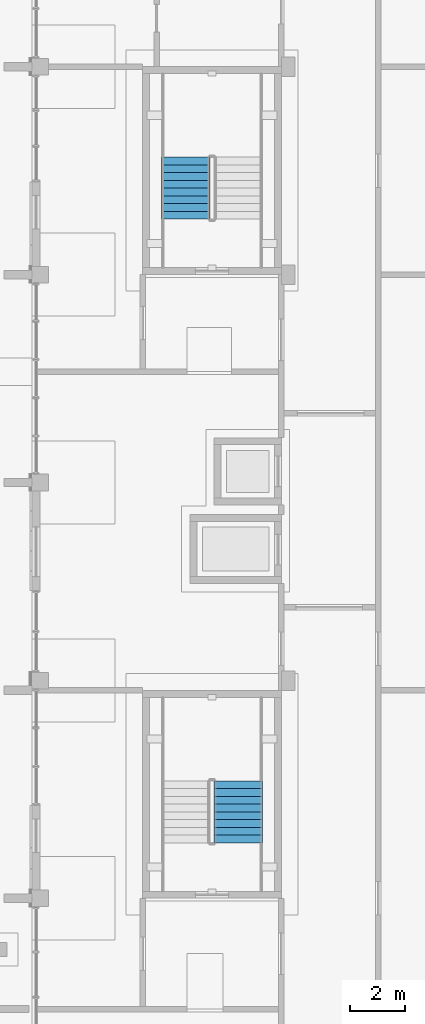
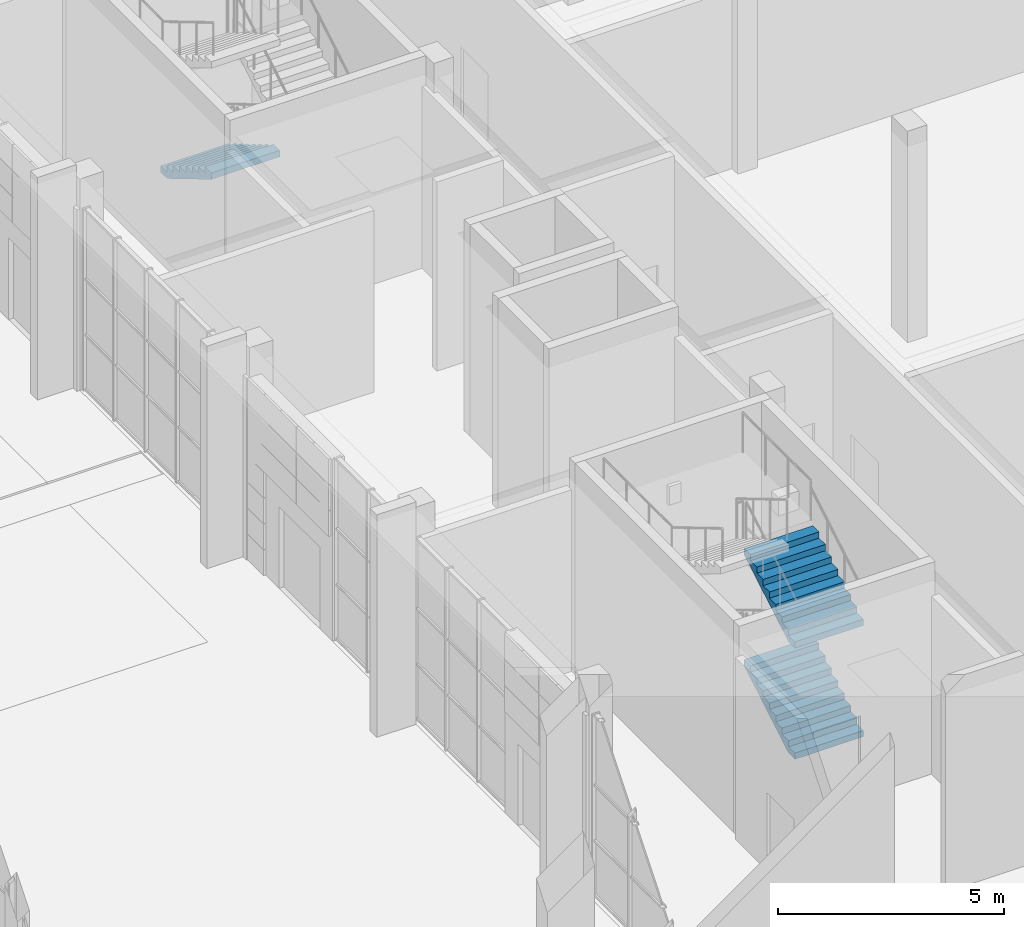
# One storey, part 64 of 125: 3 stair flights, 2 elements without a shape of their own.
"""IFC4 building model written with IfcOpenShell, lengths in metres."""

from ifc_helpers import new_model, si_unit, direction, frame, origin, place, context, subcontext, project, spatial, polyline, outline, extrude, material, type_object, element, aggregate, save


model = new_model("IFC4")

# Units and contexts
model_context = context("Model", 3, precision=1e-05, world=origin(), true_north=direction((0.0, 1.0)))
body_context = subcontext(model_context, "Body", "Model", "MODEL_VIEW")
ifc_project = project(units=[si_unit("LENGTHUNIT", "METRE"), si_unit("AREAUNIT", "SQUARE_METRE"), si_unit("VOLUMEUNIT", "CUBIC_METRE"), si_unit("PLANEANGLEUNIT", "RADIAN"), si_unit("MASSUNIT", "GRAM", prefix="KILO")], contexts=[model_context])

# Site, building, storey
site_placement = place(None, origin())
site = spatial("IfcSite", under=ifc_project, at=site_placement, CompositionType="ELEMENT")
building_placement = place(site_placement, origin())
building = spatial("IfcBuilding", under=site, at=building_placement, Name="Sun Court Science Centre", CompositionType="ELEMENT")
storey_placement = place(building_placement, origin())
storey = spatial("IfcBuildingStorey", under=building, at=storey_placement, Name="L00", CompositionType="ELEMENT", Elevation=0.0)

# Stair, stair flights
ifc_material_1 = material(Name="Concrete C25/30", Category="concrete")
stair_type = type_object("IfcStairType", Name="Stair 1500 enclosed half-turn", PredefinedType="HALF_TURN_STAIR", material=ifc_material_1)
stair_1_placement = place(storey_placement, origin())
stair_1 = element("IfcStair", 1, at=stair_1_placement, inside=storey, type_object=stair_type, Name="L00 Stair SL2", PredefinedType="HALF_TURN_STAIR")
ifc_material_2 = material(Name="Concrete C25/30", Category="concrete")
stair_flight_type = type_object("IfcStairFlightType", Name="Stair flight 1500 with waist", PredefinedType="STRAIGHT", material=ifc_material_2)
stair_flight_1_placement = place(storey_placement, frame((85.448974609375, 37.998046875, 0.0), z_axis=(0.0, 0.0, 1.0), x_axis=(0.0, 1.0, 0.0)))
stair_flight_1 = element("IfcStairFlight", 2, at=stair_flight_1_placement, type_object=stair_flight_type, Name="SL2 flight 1", NumberOfRisers=9, NumberOfTreads=8, PredefinedType="STRAIGHT", RiserHeight=0.166666667, TreadLength=0.28, context=body_context, shape_type="SweptSolid", body=[
    extrude(outline(polyline([(0.0, 0.0), (0.0, 0.00244140625), (0.0, 0.0048828125), (0.0, 0.00732421875), (0.0, 0.009765625), (0.0, 0.01220703125), (0.0, 0.0146484375), (0.0, 0.01708984375), (0.0, 0.01953125), (0.0, 0.02197265625), (0.0, 0.0244140625), (0.0, 0.02685546875), (0.0, 0.029296875), (0.0, 0.03173828125), (0.0, 0.0341796875), (0.0, 0.03662109375), (0.0, 0.0390625), (0.0, 0.04150390625), (0.0, 0.0439453125), (0.0, 0.04638671875), (0.0, 0.048828125), (0.0, 0.05126953125), (0.0, 0.0537109375), (0.0, 0.05615234375), (0.0, 0.05859375), (0.0, 0.06103515625), (0.0, 0.0634765625), (0.0, 0.06591796875), (0.0, 0.068359375), (0.0, 0.07080078125), (0.0, 0.0732421875), (0.0, 0.07568359375), (0.0, 0.078125), (0.0, 0.08056640625), (0.0, 0.0830078125), (0.0, 0.08544921875), (0.0, 0.087890625), (0.0, 0.09033203125), (0.0, 0.0927734375), (0.0, 0.09521484375), (0.0, 0.09765625), (0.0, 0.10009765625), (0.0, 0.1025390625), (0.0, 0.10498046875), (0.0, 0.107421875), (0.0, 0.10986328125), (0.0, 0.1123046875), (0.0, 0.11474609375), (0.0, 0.1171875), (0.0, 0.11962890625), (0.0, 0.1220703125), (0.0, 0.12451171875), (0.0, 0.126953125), (0.0, 0.12939453125), (0.0, 0.1318359375), (0.0, 0.13427734375), (0.0, 0.13671875), (0.0, 0.13916015625), (0.0, 0.1416015625), (0.0, 0.14404296875), (0.0, 0.146484375), (0.0, 0.14892578125), (0.0, 0.1513671875), (0.0, 0.15380859375), (0.0, 0.15625), (0.0, 0.15869140625), (0.0, 0.1611328125), (0.0, 0.16357421875), (0.0, 0.166748046875), (0.280029296875, 0.166748046875), (0.280029296875, 0.333251953125), (0.56005859375, 0.333251953125), (0.56005859375, 0.5), (0.840087890625, 0.5), (0.840087890625, 0.666748046875), (1.1201171875, 0.666748046875), (1.1201171875, 0.833251953125), (1.39990234375, 0.833251953125), (1.39990234375, 1.0), (1.679931640625, 1.0), (1.679931640625, 1.166748046875), (1.9599609375, 1.166748046875), (1.9599609375, 1.333251953125), (2.239990234375, 1.333251953125), (2.239990234375, 1.335693359375), (2.239990234375, 1.338134765625), (2.239990234375, 1.340576171875), (2.239990234375, 1.343017578125), (2.239990234375, 1.345458984375), (2.239990234375, 1.347900390625), (2.239990234375, 1.350341796875), (2.239990234375, 1.352783203125), (2.239990234375, 1.355224609375), (2.239990234375, 1.357666015625), (2.239990234375, 1.360107421875), (2.239990234375, 1.362548828125), (2.239990234375, 1.364990234375), (2.239990234375, 1.367431640625), (2.239990234375, 1.369873046875), (2.239990234375, 1.372314453125), (2.239990234375, 1.374755859375), (2.239990234375, 1.377197265625), (2.239990234375, 1.379638671875), (2.239990234375, 1.382080078125), (2.239990234375, 1.384521484375), (2.239990234375, 1.386962890625), (2.239990234375, 1.389404296875), (2.239990234375, 1.391845703125), (2.239990234375, 1.394287109375), (2.239990234375, 1.396728515625), (2.239990234375, 1.399169921875), (2.239990234375, 1.401611328125), (2.239990234375, 1.404052734375), (2.239990234375, 1.406494140625), (2.239990234375, 1.408935546875), (2.239990234375, 1.411376953125), (2.239990234375, 1.413818359375), (2.239990234375, 1.416259765625), (2.239990234375, 1.418701171875), (2.239990234375, 1.421142578125), (2.239990234375, 1.423583984375), (2.239990234375, 1.426025390625), (2.239990234375, 1.428466796875), (2.239990234375, 1.430908203125), (2.239990234375, 1.433349609375), (2.239990234375, 1.435791015625), (2.239990234375, 1.438232421875), (2.239990234375, 1.440673828125), (2.239990234375, 1.443115234375), (2.239990234375, 1.445556640625), (2.239990234375, 1.447998046875), (2.239990234375, 1.450439453125), (2.239990234375, 1.452880859375), (2.239990234375, 1.455322265625), (2.239990234375, 1.457763671875), (2.239990234375, 1.460205078125), (2.239990234375, 1.462646484375), (2.239990234375, 1.465087890625), (2.239990234375, 1.467529296875), (2.239990234375, 1.469970703125), (2.239990234375, 1.472412109375), (2.239990234375, 1.474853515625), (2.239990234375, 1.477294921875), (2.239990234375, 1.479736328125), (2.239990234375, 1.482177734375), (2.239990234375, 1.484619140625), (2.239990234375, 1.487060546875), (2.239990234375, 1.489501953125), (2.239990234375, 1.491943359375), (2.239990234375, 1.494384765625), (2.239990234375, 1.496826171875), (2.239990234375, 1.5), (2.239990234375, 1.49755859375), (2.239990234375, 1.4951171875), (2.239990234375, 1.49267578125), (2.239990234375, 1.490234375), (2.239990234375, 1.48779296875), (2.239990234375, 1.4853515625), (2.239990234375, 1.48291015625), (2.239990234375, 1.48046875), (2.239990234375, 1.47802734375), (2.239990234375, 1.4755859375), (2.239990234375, 1.47314453125), (2.239990234375, 1.470703125), (2.239990234375, 1.46826171875), (2.239990234375, 1.4658203125), (2.239990234375, 1.46337890625), (2.239990234375, 1.4609375), (2.239990234375, 1.45849609375), (2.239990234375, 1.4560546875), (2.239990234375, 1.45361328125), (2.239990234375, 1.451171875), (2.239990234375, 1.44873046875), (2.239990234375, 1.4462890625), (2.239990234375, 1.44384765625), (2.239990234375, 1.44140625), (2.239990234375, 1.43896484375), (2.239990234375, 1.4365234375), (2.239990234375, 1.43408203125), (2.239990234375, 1.431640625), (2.239990234375, 1.42919921875), (2.239990234375, 1.4267578125), (2.239990234375, 1.42431640625), (2.239990234375, 1.421875), (2.239990234375, 1.41943359375), (2.239990234375, 1.4169921875), (2.239990234375, 1.41455078125), (2.239990234375, 1.412109375), (2.239990234375, 1.40966796875), (2.239990234375, 1.4072265625), (2.239990234375, 1.40478515625), (2.239990234375, 1.40234375), (2.239990234375, 1.39990234375), (2.239990234375, 1.3974609375), (2.239990234375, 1.39501953125), (2.239990234375, 1.392578125), (2.239990234375, 1.39013671875), (2.239990234375, 1.3876953125), (2.239990234375, 1.38525390625), (2.239990234375, 1.3828125), (2.239990234375, 1.38037109375), (2.239990234375, 1.3779296875), (2.239990234375, 1.37548828125), (2.239990234375, 1.373046875), (2.239990234375, 1.37060546875), (2.239990234375, 1.3681640625), (2.239990234375, 1.36572265625), (2.239990234375, 1.36328125), (2.239990234375, 1.36083984375), (2.239990234375, 1.3583984375), (2.239990234375, 1.35595703125), (2.239990234375, 1.353515625), (2.239990234375, 1.35107421875), (2.239990234375, 1.3486328125), (2.239990234375, 1.34619140625), (2.239990234375, 1.34375), (2.239990234375, 1.34130859375), (2.239990234375, 1.3388671875), (2.239990234375, 1.33642578125), (2.239990234375, 1.333984375), (2.239990234375, 1.33154296875), (2.239990234375, 1.3291015625), (2.239990234375, 1.32666015625), (2.239990234375, 1.32421875), (2.239990234375, 1.32177734375), (2.239990234375, 1.3193359375), (2.239990234375, 1.31689453125), (2.239990234375, 1.314453125), (2.239990234375, 1.31201171875), (2.239990234375, 1.3095703125), (2.239990234375, 1.30712890625), (2.239990234375, 1.3046875), (2.239990234375, 1.30224609375), (2.239990234375, 1.2998046875), (2.239990234375, 1.29736328125), (2.239990234375, 1.294921875), (2.239990234375, 1.29248046875), (2.239990234375, 1.2900390625), (2.239990234375, 1.28759765625), (2.239990234375, 1.28515625), (2.239990234375, 1.28271484375), (2.239990234375, 1.2802734375), (2.239990234375, 1.27783203125), (2.239990234375, 1.275390625), (2.239990234375, 1.27294921875), (2.239990234375, 1.2705078125), (2.239990234375, 1.26806640625), (2.239990234375, 1.265625), (2.239990234375, 1.26318359375), (2.239990234375, 1.2607421875), (2.239990234375, 1.25830078125), (2.239990234375, 1.255859375), (2.239990234375, 1.25341796875), (2.239990234375, 1.2509765625), (2.239990234375, 1.24853515625), (2.239990234375, 1.24609375), (2.239990234375, 1.24365234375), (2.239990234375, 1.2412109375), (2.239990234375, 1.23876953125), (2.239990234375, 1.236328125), (2.239990234375, 1.23388671875), (2.239990234375, 1.2314453125), (2.239990234375, 1.22900390625), (2.239990234375, 1.2265625), (2.239990234375, 1.22412109375), (2.239990234375, 1.2216796875), (2.239990234375, 1.21923828125), (2.239990234375, 1.216796875), (2.239990234375, 1.21435546875), (2.239990234375, 1.2119140625), (2.239990234375, 1.20947265625), (2.239990234375, 1.20703125), (2.239990234375, 1.20458984375), (2.239990234375, 1.2021484375), (2.239990234375, 1.19970703125), (2.239990234375, 1.197265625), (2.239990234375, 1.19482421875), (2.239990234375, 1.1923828125), (2.239990234375, 1.18994140625), (2.239990234375, 1.1875), (2.239990234375, 1.18505859375), (2.239990234375, 1.1826171875), (2.239990234375, 1.18017578125), (2.239990234375, 1.177734375), (2.239990234375, 1.17529296875), (2.239990234375, 1.1728515625), (2.239990234375, 1.17041015625), (2.239990234375, 1.16796875), (2.239990234375, 1.16552734375), (2.239990234375, 1.1630859375), (2.239990234375, 1.158935546875), (0.29296875, 0.0), (0.0, 0.0)])), frame((0.0, 0.8740234375, 0.0), z_axis=(0.0, -1.0, 0.0), x_axis=(1.0, 0.0, 0.0)), (0.0, 0.0, 1.0), 1.748046875),
])
stair_flight_2_placement = place(storey_placement, frame((85.448974609375, 37.998046875, 3.0), z_axis=(0.0, 0.0, 1.0), x_axis=(0.0, 1.0, 0.0)))
stair_flight_2 = element("IfcStairFlight", 3, at=stair_flight_2_placement, type_object=stair_flight_type, Name="SL2 flight 3", NumberOfRisers=9, NumberOfTreads=8, PredefinedType="STRAIGHT", RiserHeight=0.166666667, TreadLength=0.28, context=body_context, shape_type="SweptSolid", body=[
    extrude(outline(polyline([(0.0, 0.0), (0.0, 0.00244140625), (0.0, 0.0048828125), (0.0, 0.00732421875), (0.0, 0.009765625), (0.0, 0.01220703125), (0.0, 0.0146484375), (0.0, 0.01708984375), (0.0, 0.01953125), (0.0, 0.02197265625), (0.0, 0.0244140625), (0.0, 0.02685546875), (0.0, 0.029296875), (0.0, 0.03173828125), (0.0, 0.0341796875), (0.0, 0.03662109375), (0.0, 0.0390625), (0.0, 0.04150390625), (0.0, 0.0439453125), (0.0, 0.04638671875), (0.0, 0.048828125), (0.0, 0.05126953125), (0.0, 0.0537109375), (0.0, 0.05615234375), (0.0, 0.05859375), (0.0, 0.06103515625), (0.0, 0.0634765625), (0.0, 0.06591796875), (0.0, 0.068359375), (0.0, 0.07080078125), (0.0, 0.0732421875), (0.0, 0.07568359375), (0.0, 0.078125), (0.0, 0.08056640625), (0.0, 0.0830078125), (0.0, 0.08544921875), (0.0, 0.087890625), (0.0, 0.09033203125), (0.0, 0.0927734375), (0.0, 0.09521484375), (0.0, 0.09765625), (0.0, 0.10009765625), (0.0, 0.1025390625), (0.0, 0.10498046875), (0.0, 0.107421875), (0.0, 0.10986328125), (0.0, 0.1123046875), (0.0, 0.11474609375), (0.0, 0.1171875), (0.0, 0.11962890625), (0.0, 0.1220703125), (0.0, 0.12451171875), (0.0, 0.126953125), (0.0, 0.12939453125), (0.0, 0.1318359375), (0.0, 0.13427734375), (0.0, 0.13671875), (0.0, 0.13916015625), (0.0, 0.1416015625), (0.0, 0.14404296875), (0.0, 0.146484375), (0.0, 0.14892578125), (0.0, 0.1513671875), (0.0, 0.15380859375), (0.0, 0.15625), (0.0, 0.15869140625), (0.0, 0.1611328125), (0.0, 0.16357421875), (0.0, 0.166748046875), (0.280029296875, 0.166748046875), (0.280029296875, 0.333251953125), (0.56005859375, 0.333251953125), (0.56005859375, 0.5), (0.840087890625, 0.5), (0.840087890625, 0.666748046875), (1.1201171875, 0.666748046875), (1.1201171875, 0.833251953125), (1.39990234375, 0.833251953125), (1.39990234375, 1.0), (1.679931640625, 1.0), (1.679931640625, 1.166748046875), (1.9599609375, 1.166748046875), (1.9599609375, 1.333251953125), (2.239990234375, 1.333251953125), (2.239990234375, 1.335693359375), (2.239990234375, 1.338134765625), (2.239990234375, 1.340576171875), (2.239990234375, 1.343017578125), (2.239990234375, 1.345458984375), (2.239990234375, 1.347900390625), (2.239990234375, 1.350341796875), (2.239990234375, 1.352783203125), (2.239990234375, 1.355224609375), (2.239990234375, 1.357666015625), (2.239990234375, 1.360107421875), (2.239990234375, 1.362548828125), (2.239990234375, 1.364990234375), (2.239990234375, 1.367431640625), (2.239990234375, 1.369873046875), (2.239990234375, 1.372314453125), (2.239990234375, 1.374755859375), (2.239990234375, 1.377197265625), (2.239990234375, 1.379638671875), (2.239990234375, 1.382080078125), (2.239990234375, 1.384521484375), (2.239990234375, 1.386962890625), (2.239990234375, 1.389404296875), (2.239990234375, 1.391845703125), (2.239990234375, 1.394287109375), (2.239990234375, 1.396728515625), (2.239990234375, 1.399169921875), (2.239990234375, 1.401611328125), (2.239990234375, 1.404052734375), (2.239990234375, 1.406494140625), (2.239990234375, 1.408935546875), (2.239990234375, 1.411376953125), (2.239990234375, 1.413818359375), (2.239990234375, 1.416259765625), (2.239990234375, 1.418701171875), (2.239990234375, 1.421142578125), (2.239990234375, 1.423583984375), (2.239990234375, 1.426025390625), (2.239990234375, 1.428466796875), (2.239990234375, 1.430908203125), (2.239990234375, 1.433349609375), (2.239990234375, 1.435791015625), (2.239990234375, 1.438232421875), (2.239990234375, 1.440673828125), (2.239990234375, 1.443115234375), (2.239990234375, 1.445556640625), (2.239990234375, 1.447998046875), (2.239990234375, 1.450439453125), (2.239990234375, 1.452880859375), (2.239990234375, 1.455322265625), (2.239990234375, 1.457763671875), (2.239990234375, 1.460205078125), (2.239990234375, 1.462646484375), (2.239990234375, 1.465087890625), (2.239990234375, 1.467529296875), (2.239990234375, 1.469970703125), (2.239990234375, 1.472412109375), (2.239990234375, 1.474853515625), (2.239990234375, 1.477294921875), (2.239990234375, 1.479736328125), (2.239990234375, 1.482177734375), (2.239990234375, 1.484619140625), (2.239990234375, 1.487060546875), (2.239990234375, 1.489501953125), (2.239990234375, 1.491943359375), (2.239990234375, 1.494384765625), (2.239990234375, 1.496826171875), (2.239990234375, 1.5), (2.239990234375, 1.49755859375), (2.239990234375, 1.4951171875), (2.239990234375, 1.49267578125), (2.239990234375, 1.490234375), (2.239990234375, 1.48779296875), (2.239990234375, 1.4853515625), (2.239990234375, 1.48291015625), (2.239990234375, 1.48046875), (2.239990234375, 1.47802734375), (2.239990234375, 1.4755859375), (2.239990234375, 1.47314453125), (2.239990234375, 1.470703125), (2.239990234375, 1.46826171875), (2.239990234375, 1.4658203125), (2.239990234375, 1.46337890625), (2.239990234375, 1.4609375), (2.239990234375, 1.45849609375), (2.239990234375, 1.4560546875), (2.239990234375, 1.45361328125), (2.239990234375, 1.451171875), (2.239990234375, 1.44873046875), (2.239990234375, 1.4462890625), (2.239990234375, 1.44384765625), (2.239990234375, 1.44140625), (2.239990234375, 1.43896484375), (2.239990234375, 1.4365234375), (2.239990234375, 1.43408203125), (2.239990234375, 1.431640625), (2.239990234375, 1.42919921875), (2.239990234375, 1.4267578125), (2.239990234375, 1.42431640625), (2.239990234375, 1.421875), (2.239990234375, 1.41943359375), (2.239990234375, 1.4169921875), (2.239990234375, 1.41455078125), (2.239990234375, 1.412109375), (2.239990234375, 1.40966796875), (2.239990234375, 1.4072265625), (2.239990234375, 1.40478515625), (2.239990234375, 1.40234375), (2.239990234375, 1.39990234375), (2.239990234375, 1.3974609375), (2.239990234375, 1.39501953125), (2.239990234375, 1.392578125), (2.239990234375, 1.39013671875), (2.239990234375, 1.3876953125), (2.239990234375, 1.38525390625), (2.239990234375, 1.3828125), (2.239990234375, 1.38037109375), (2.239990234375, 1.3779296875), (2.239990234375, 1.37548828125), (2.239990234375, 1.373046875), (2.239990234375, 1.37060546875), (2.239990234375, 1.3681640625), (2.239990234375, 1.36572265625), (2.239990234375, 1.36328125), (2.239990234375, 1.36083984375), (2.239990234375, 1.3583984375), (2.239990234375, 1.35595703125), (2.239990234375, 1.353515625), (2.239990234375, 1.35107421875), (2.239990234375, 1.3486328125), (2.239990234375, 1.34619140625), (2.239990234375, 1.34375), (2.239990234375, 1.34130859375), (2.239990234375, 1.3388671875), (2.239990234375, 1.33642578125), (2.239990234375, 1.333984375), (2.239990234375, 1.33154296875), (2.239990234375, 1.3291015625), (2.239990234375, 1.32666015625), (2.239990234375, 1.32421875), (2.239990234375, 1.32177734375), (2.239990234375, 1.3193359375), (2.239990234375, 1.31689453125), (2.239990234375, 1.314453125), (2.239990234375, 1.31201171875), (2.239990234375, 1.3095703125), (2.239990234375, 1.30712890625), (2.239990234375, 1.3046875), (2.239990234375, 1.30224609375), (2.239990234375, 1.2998046875), (2.239990234375, 1.29736328125), (2.239990234375, 1.294921875), (2.239990234375, 1.29248046875), (2.239990234375, 1.2900390625), (2.239990234375, 1.28759765625), (2.239990234375, 1.28515625), (2.239990234375, 1.28271484375), (2.239990234375, 1.2802734375), (2.239990234375, 1.27783203125), (2.239990234375, 1.275390625), (2.239990234375, 1.27294921875), (2.239990234375, 1.2705078125), (2.239990234375, 1.26806640625), (2.239990234375, 1.265625), (2.239990234375, 1.26318359375), (2.239990234375, 1.2607421875), (2.239990234375, 1.25830078125), (2.239990234375, 1.255859375), (2.239990234375, 1.25341796875), (2.239990234375, 1.2509765625), (2.239990234375, 1.24853515625), (2.239990234375, 1.24609375), (2.239990234375, 1.24365234375), (2.239990234375, 1.2412109375), (2.239990234375, 1.23876953125), (2.239990234375, 1.236328125), (2.239990234375, 1.23388671875), (2.239990234375, 1.2314453125), (2.239990234375, 1.22900390625), (2.239990234375, 1.2265625), (2.239990234375, 1.22412109375), (2.239990234375, 1.2216796875), (2.239990234375, 1.21923828125), (2.239990234375, 1.216796875), (2.239990234375, 1.21435546875), (2.239990234375, 1.2119140625), (2.239990234375, 1.20947265625), (2.239990234375, 1.20703125), (2.239990234375, 1.20458984375), (2.239990234375, 1.2021484375), (2.239990234375, 1.19970703125), (2.239990234375, 1.197265625), (2.239990234375, 1.19482421875), (2.239990234375, 1.1923828125), (2.239990234375, 1.18994140625), (2.239990234375, 1.1875), (2.239990234375, 1.18505859375), (2.239990234375, 1.1826171875), (2.239990234375, 1.18017578125), (2.239990234375, 1.177734375), (2.239990234375, 1.17529296875), (2.239990234375, 1.1728515625), (2.239990234375, 1.17041015625), (2.239990234375, 1.16796875), (2.239990234375, 1.16552734375), (2.239990234375, 1.1630859375), (2.239990234375, 1.158935546875), (0.29296875, 0.0), (0.0, 0.0)])), frame((0.0, 0.8740234375, 0.0), z_axis=(0.0, -1.0, 0.0), x_axis=(1.0, 0.0, 0.0)), (0.0, 0.0, 1.0), 1.748046875),
])
aggregate(stair_1, [stair_flight_1, stair_flight_2])

# Stair, stair flight
stair_2_placement = place(storey_placement, origin())
stair_2 = element("IfcStair", 4, at=stair_2_placement, inside=storey, type_object=stair_type, Name="L00 Stair SL3", PredefinedType="HALF_TURN_STAIR")
stair_flight_3_placement = place(storey_placement, frame((83.551025390625, 62.738037109375, 1.5), z_axis=(0.0, 0.0, 1.0), x_axis=(0.0, -1.0, 0.0)))
stair_flight_3 = element("IfcStairFlight", 5, at=stair_flight_3_placement, type_object=stair_flight_type, Name="SL3 flight 2", NumberOfRisers=9, NumberOfTreads=8, PredefinedType="STRAIGHT", RiserHeight=0.166666667, TreadLength=0.28, context=body_context, shape_type="SweptSolid", body=[
    extrude(outline(polyline([(0.0, 0.0), (0.0, 0.00244140625), (0.0, 0.0048828125), (0.0, 0.00732421875), (0.0, 0.009765625), (0.0, 0.01220703125), (0.0, 0.0146484375), (0.0, 0.01708984375), (0.0, 0.01953125), (0.0, 0.02197265625), (0.0, 0.0244140625), (0.0, 0.02685546875), (0.0, 0.029296875), (0.0, 0.03173828125), (0.0, 0.0341796875), (0.0, 0.03662109375), (0.0, 0.0390625), (0.0, 0.04150390625), (0.0, 0.0439453125), (0.0, 0.04638671875), (0.0, 0.048828125), (0.0, 0.05126953125), (0.0, 0.0537109375), (0.0, 0.05615234375), (0.0, 0.05859375), (0.0, 0.06103515625), (0.0, 0.0634765625), (0.0, 0.06591796875), (0.0, 0.068359375), (0.0, 0.07080078125), (0.0, 0.0732421875), (0.0, 0.07568359375), (0.0, 0.078125), (0.0, 0.08056640625), (0.0, 0.0830078125), (0.0, 0.08544921875), (0.0, 0.087890625), (0.0, 0.09033203125), (0.0, 0.0927734375), (0.0, 0.09521484375), (0.0, 0.09765625), (0.0, 0.10009765625), (0.0, 0.1025390625), (0.0, 0.10498046875), (0.0, 0.107421875), (0.0, 0.10986328125), (0.0, 0.1123046875), (0.0, 0.11474609375), (0.0, 0.1171875), (0.0, 0.11962890625), (0.0, 0.1220703125), (0.0, 0.12451171875), (0.0, 0.126953125), (0.0, 0.12939453125), (0.0, 0.1318359375), (0.0, 0.13427734375), (0.0, 0.13671875), (0.0, 0.13916015625), (0.0, 0.1416015625), (0.0, 0.14404296875), (0.0, 0.146484375), (0.0, 0.14892578125), (0.0, 0.1513671875), (0.0, 0.15380859375), (0.0, 0.15625), (0.0, 0.15869140625), (0.0, 0.1611328125), (0.0, 0.16357421875), (0.0, 0.166748046875), (0.280029296875, 0.166748046875), (0.280029296875, 0.333251953125), (0.56005859375, 0.333251953125), (0.56005859375, 0.5), (0.840087890625, 0.5), (0.840087890625, 0.666748046875), (1.1201171875, 0.666748046875), (1.1201171875, 0.833251953125), (1.39990234375, 0.833251953125), (1.39990234375, 1.0), (1.679931640625, 1.0), (1.679931640625, 1.166748046875), (1.9599609375, 1.166748046875), (1.9599609375, 1.333251953125), (2.239990234375, 1.333251953125), (2.239990234375, 1.335693359375), (2.239990234375, 1.338134765625), (2.239990234375, 1.340576171875), (2.239990234375, 1.343017578125), (2.239990234375, 1.345458984375), (2.239990234375, 1.347900390625), (2.239990234375, 1.350341796875), (2.239990234375, 1.352783203125), (2.239990234375, 1.355224609375), (2.239990234375, 1.357666015625), (2.239990234375, 1.360107421875), (2.239990234375, 1.362548828125), (2.239990234375, 1.364990234375), (2.239990234375, 1.367431640625), (2.239990234375, 1.369873046875), (2.239990234375, 1.372314453125), (2.239990234375, 1.374755859375), (2.239990234375, 1.377197265625), (2.239990234375, 1.379638671875), (2.239990234375, 1.382080078125), (2.239990234375, 1.384521484375), (2.239990234375, 1.386962890625), (2.239990234375, 1.389404296875), (2.239990234375, 1.391845703125), (2.239990234375, 1.394287109375), (2.239990234375, 1.396728515625), (2.239990234375, 1.399169921875), (2.239990234375, 1.401611328125), (2.239990234375, 1.404052734375), (2.239990234375, 1.406494140625), (2.239990234375, 1.408935546875), (2.239990234375, 1.411376953125), (2.239990234375, 1.413818359375), (2.239990234375, 1.416259765625), (2.239990234375, 1.418701171875), (2.239990234375, 1.421142578125), (2.239990234375, 1.423583984375), (2.239990234375, 1.426025390625), (2.239990234375, 1.428466796875), (2.239990234375, 1.430908203125), (2.239990234375, 1.433349609375), (2.239990234375, 1.435791015625), (2.239990234375, 1.438232421875), (2.239990234375, 1.440673828125), (2.239990234375, 1.443115234375), (2.239990234375, 1.445556640625), (2.239990234375, 1.447998046875), (2.239990234375, 1.450439453125), (2.239990234375, 1.452880859375), (2.239990234375, 1.455322265625), (2.239990234375, 1.457763671875), (2.239990234375, 1.460205078125), (2.239990234375, 1.462646484375), (2.239990234375, 1.465087890625), (2.239990234375, 1.467529296875), (2.239990234375, 1.469970703125), (2.239990234375, 1.472412109375), (2.239990234375, 1.474853515625), (2.239990234375, 1.477294921875), (2.239990234375, 1.479736328125), (2.239990234375, 1.482177734375), (2.239990234375, 1.484619140625), (2.239990234375, 1.487060546875), (2.239990234375, 1.489501953125), (2.239990234375, 1.491943359375), (2.239990234375, 1.494384765625), (2.239990234375, 1.496826171875), (2.239990234375, 1.5), (2.239990234375, 1.49755859375), (2.239990234375, 1.4951171875), (2.239990234375, 1.49267578125), (2.239990234375, 1.490234375), (2.239990234375, 1.48779296875), (2.239990234375, 1.4853515625), (2.239990234375, 1.48291015625), (2.239990234375, 1.48046875), (2.239990234375, 1.47802734375), (2.239990234375, 1.4755859375), (2.239990234375, 1.47314453125), (2.239990234375, 1.470703125), (2.239990234375, 1.46826171875), (2.239990234375, 1.4658203125), (2.239990234375, 1.46337890625), (2.239990234375, 1.4609375), (2.239990234375, 1.45849609375), (2.239990234375, 1.4560546875), (2.239990234375, 1.45361328125), (2.239990234375, 1.451171875), (2.239990234375, 1.44873046875), (2.239990234375, 1.4462890625), (2.239990234375, 1.44384765625), (2.239990234375, 1.44140625), (2.239990234375, 1.43896484375), (2.239990234375, 1.4365234375), (2.239990234375, 1.43408203125), (2.239990234375, 1.431640625), (2.239990234375, 1.42919921875), (2.239990234375, 1.4267578125), (2.239990234375, 1.42431640625), (2.239990234375, 1.421875), (2.239990234375, 1.41943359375), (2.239990234375, 1.4169921875), (2.239990234375, 1.41455078125), (2.239990234375, 1.412109375), (2.239990234375, 1.40966796875), (2.239990234375, 1.4072265625), (2.239990234375, 1.40478515625), (2.239990234375, 1.40234375), (2.239990234375, 1.39990234375), (2.239990234375, 1.3974609375), (2.239990234375, 1.39501953125), (2.239990234375, 1.392578125), (2.239990234375, 1.39013671875), (2.239990234375, 1.3876953125), (2.239990234375, 1.38525390625), (2.239990234375, 1.3828125), (2.239990234375, 1.38037109375), (2.239990234375, 1.3779296875), (2.239990234375, 1.37548828125), (2.239990234375, 1.373046875), (2.239990234375, 1.37060546875), (2.239990234375, 1.3681640625), (2.239990234375, 1.36572265625), (2.239990234375, 1.36328125), (2.239990234375, 1.36083984375), (2.239990234375, 1.3583984375), (2.239990234375, 1.35595703125), (2.239990234375, 1.353515625), (2.239990234375, 1.35107421875), (2.239990234375, 1.3486328125), (2.239990234375, 1.34619140625), (2.239990234375, 1.34375), (2.239990234375, 1.34130859375), (2.239990234375, 1.3388671875), (2.239990234375, 1.33642578125), (2.239990234375, 1.333984375), (2.239990234375, 1.33154296875), (2.239990234375, 1.3291015625), (2.239990234375, 1.32666015625), (2.239990234375, 1.32421875), (2.239990234375, 1.32177734375), (2.239990234375, 1.3193359375), (2.239990234375, 1.31689453125), (2.239990234375, 1.314453125), (2.239990234375, 1.31201171875), (2.239990234375, 1.3095703125), (2.239990234375, 1.30712890625), (2.239990234375, 1.3046875), (2.239990234375, 1.30224609375), (2.239990234375, 1.2998046875), (2.239990234375, 1.29736328125), (2.239990234375, 1.294921875), (2.239990234375, 1.29248046875), (2.239990234375, 1.2900390625), (2.239990234375, 1.28759765625), (2.239990234375, 1.28515625), (2.239990234375, 1.28271484375), (2.239990234375, 1.2802734375), (2.239990234375, 1.27783203125), (2.239990234375, 1.275390625), (2.239990234375, 1.27294921875), (2.239990234375, 1.2705078125), (2.239990234375, 1.26806640625), (2.239990234375, 1.265625), (2.239990234375, 1.26318359375), (2.239990234375, 1.2607421875), (2.239990234375, 1.25830078125), (2.239990234375, 1.255859375), (2.239990234375, 1.25341796875), (2.239990234375, 1.2509765625), (2.239990234375, 1.24853515625), (2.239990234375, 1.24609375), (2.239990234375, 1.24365234375), (2.239990234375, 1.2412109375), (2.239990234375, 1.23876953125), (2.239990234375, 1.236328125), (2.239990234375, 1.23388671875), (2.239990234375, 1.2314453125), (2.239990234375, 1.22900390625), (2.239990234375, 1.2265625), (2.239990234375, 1.22412109375), (2.239990234375, 1.2216796875), (2.239990234375, 1.21923828125), (2.239990234375, 1.216796875), (2.239990234375, 1.21435546875), (2.239990234375, 1.2119140625), (2.239990234375, 1.20947265625), (2.239990234375, 1.20703125), (2.239990234375, 1.20458984375), (2.239990234375, 1.2021484375), (2.239990234375, 1.19970703125), (2.239990234375, 1.197265625), (2.239990234375, 1.19482421875), (2.239990234375, 1.1923828125), (2.239990234375, 1.18994140625), (2.239990234375, 1.1875), (2.239990234375, 1.18505859375), (2.239990234375, 1.1826171875), (2.239990234375, 1.18017578125), (2.239990234375, 1.177734375), (2.239990234375, 1.17529296875), (2.239990234375, 1.1728515625), (2.239990234375, 1.17041015625), (2.239990234375, 1.16796875), (2.239990234375, 1.16552734375), (2.239990234375, 1.1630859375), (2.239990234375, 1.158935546875), (0.29296875, 0.0), (0.0, 0.0)])), frame((0.0, 0.8740234375, 0.0), z_axis=(0.0, -1.0, 0.0), x_axis=(1.0, 0.0, 0.0)), (0.0, 0.0, 1.0), 1.748046875),
])
aggregate(stair_2, [stair_flight_3])

save(model, "model.ifc")
